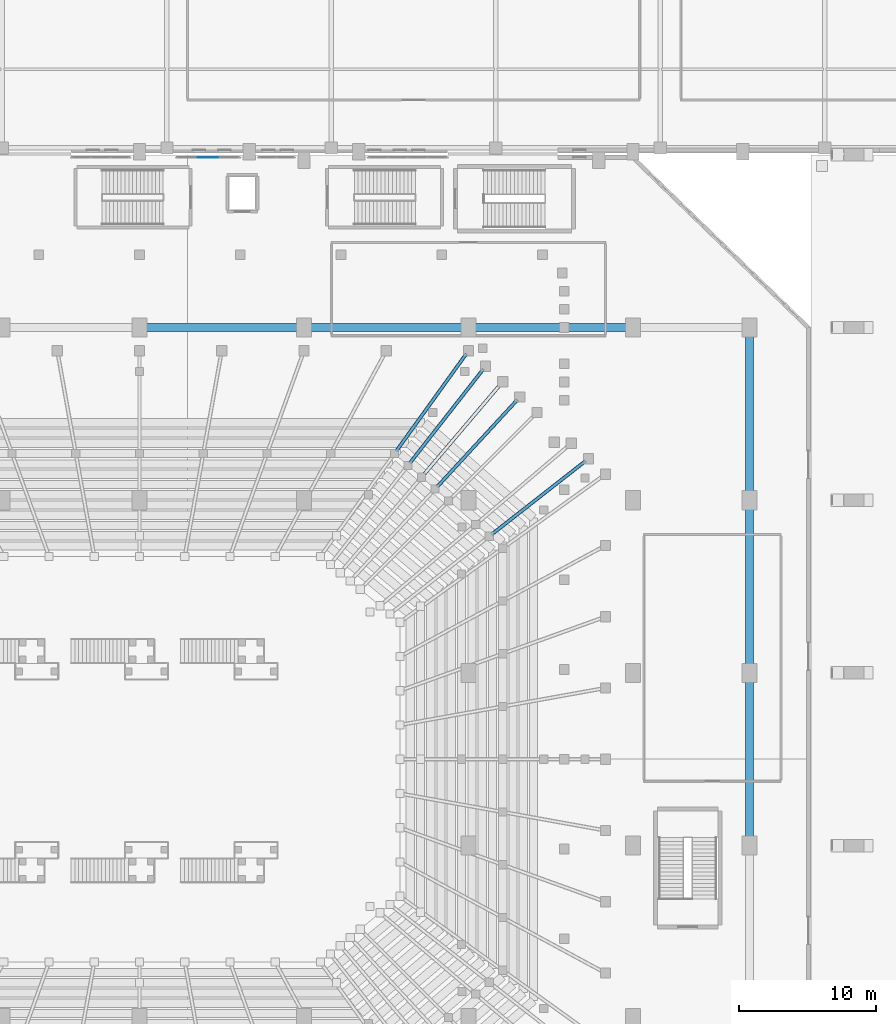
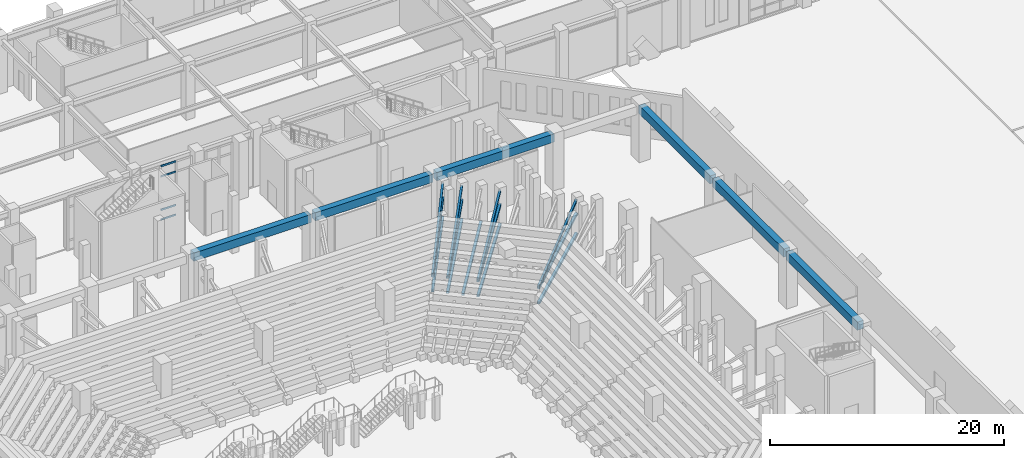
# One storey, part 51 of 143: 17 members, 6 beams, 1 element without a shape of its own.
"""IFC4 building model written with IfcOpenShell, lengths in metres."""

from ifc_helpers import new_model, si_unit, derived_unit, direction, frame, origin, origin_2d, place, context, subcontext, project, spatial, rectangle, hollow_rectangle, extrude, material, layer, layer_set, material_profile, profile_set, type_object, element, aggregate, save


model = new_model("IFC4")

# Units and contexts
model_context = context("Model", 3, precision=1e-05, world=origin(), true_north=direction((0.0, 1.0)))
body_context = subcontext(model_context, "Body", "Model", "MODEL_VIEW")
ifc_project = project(units=[si_unit("LENGTHUNIT", "METRE"), si_unit("AREAUNIT", "SQUARE_METRE"), si_unit("VOLUMEUNIT", "CUBIC_METRE"), si_unit("PLANEANGLEUNIT", "RADIAN"), si_unit("MASSUNIT", "GRAM", prefix="KILO"), derived_unit("THERMALTRANSMITTANCEUNIT", [(si_unit("MASSUNIT", "GRAM", prefix="KILO"), 1), (si_unit("TIMEUNIT", "SECOND"), -3), (si_unit("THERMODYNAMICTEMPERATUREUNIT", "KELVIN"), -1)])], contexts=[model_context])

# Site, building, storey
site_placement = place(None, origin())
site = spatial("IfcSite", under=ifc_project, at=site_placement, CompositionType="ELEMENT")
building_placement = place(site_placement, origin())
building = spatial("IfcBuilding", under=site, at=building_placement, Name="Valcora Ridge Arena", CompositionType="ELEMENT")
storey_placement = place(building_placement, origin())
storey = spatial("IfcBuildingStorey", under=building, at=storey_placement, Name="L00", CompositionType="ELEMENT", Elevation=0.0)

# Beams
ifc_material_1 = material(Name="Concrete C40/50", Category="concrete")
ifc_material_profile_1 = material_profile(ifc_material_1, rectangle(XDim=0.60009765625, YDim=0.85009765625, at=origin_2d()), Name="RC 600x850")
ifc_profile_set_1 = profile_set([ifc_material_profile_1], Name="Concrete C40/50")
beam_type_1 = type_object("IfcBeamType", Name="TY-BEAM-B-RC600-Y", PredefinedType="BEAM", material=ifc_profile_set_1)
for number, where, z_axis, x_axis, name in (
    (1, (102.5, 58.0, 5.215087890625), (0.0, 1.0, 0.0), (-1.0, 0.0, 0.0), "B-RC600-Y BEM-B-RC600-Y-0008"),
    (2, (102.5, 70.60009765625, 5.215087890625), (0.0, 1.0, 0.0), (-1.0, 0.0, 0.0), "B-RC600-Y BEM-B-RC600-Y-0009"),
    (3, (102.5, 83.199951171875, 5.215087890625), (0.0, 1.0, 0.0), (-1.0, 0.0, 0.0), "B-RC600-Y BEM-B-RC600-Y-0010"),
):
    element("IfcBeam", number, at=place(storey_placement, frame(where, z_axis=z_axis, x_axis=x_axis)), inside=storey, type_object=beam_type_1, Name=name, PredefinedType="BEAM", context=body_context, shape_type="SweptSolid", body=[
        extrude(rectangle(XDim=0.60009765625, YDim=0.85009765625, at=origin_2d()), origin(), (0.0, 0.0, 1.0), 12.199951171875),
    ])
ifc_material_profile_2 = material_profile(ifc_material_1, rectangle(XDim=0.60009765625, YDim=0.85009765625, at=origin_2d()), Name="RC 600x850")
ifc_profile_set_2 = profile_set([ifc_material_profile_2], Name="Concrete C40/50")
beam_type_2 = type_object("IfcBeamType", Name="TY-BEAM-EB-RC600", PredefinedType="BEAM", material=ifc_profile_set_2)
for number, where, z_axis, x_axis, name in (
    (4, (58.199951171875, 95.60009765625, 5.215087890625), (1.0, 0.0, 0.0), (0.0, 1.0, 0.0), "EB-RC600 BEM-EB-RC600-0013"),
    (5, (70.199951171875, 95.60009765625, 5.215087890625), (1.0, 0.0, 0.0), (0.0, 1.0, 0.0), "EB-RC600 BEM-EB-RC600-0014"),
    (6, (82.199951171875, 95.60009765625, 5.215087890625), (1.0, 0.0, 0.0), (0.0, 1.0, 0.0), "EB-RC600 BEM-EB-RC600-0015"),
):
    element("IfcBeam", number, at=place(storey_placement, frame(where, z_axis=z_axis, x_axis=x_axis)), inside=storey, type_object=beam_type_2, Name=name, PredefinedType="BEAM", context=body_context, shape_type="SweptSolid", body=[
        extrude(rectangle(XDim=0.60009765625, YDim=0.85009765625, at=origin_2d()), origin(), (0.0, 0.0, 1.0), 11.60009765625),
    ])

# Curtain wall, members
ifc_material_2 = material(Name="Anodised dark bronze architectural aluminium 6063-T6", Category="aluminium")
ifc_layer = layer(ifc_material_2, 0.179931640625, Name="Anodised dark bronze architectural aluminium 6063-T6")
ifc_layer_set = layer_set([ifc_layer], Name="Anodised dark bronze architectural aluminium 6063-T6")
curtain_wall_type = type_object("IfcCurtainWallType", Name="TY-CURTAINWALL-CW-V1-GOTH-046X56", PredefinedType="NOTDEFINED", material=ifc_layer_set)
curtain_wall_placement = place(storey_placement, origin())
curtain_wall = element("IfcCurtainWall", 7, at=curtain_wall_placement, inside=storey, type_object=curtain_wall_type, Name="CW-V1-GOTH-046X56 CW-0089", PredefinedType="NOTDEFINED")
ifc_material_profile_3 = material_profile(ifc_material_2, rectangle(XDim=0.06005859375, YDim=0.179931640625, at=origin_2d()), Name="ALU TRANSOM 60x180")
ifc_profile_set_3 = profile_set([ifc_material_profile_3], Name="Anodised dark bronze architectural aluminium 6063-T6")
member_type_1 = type_object("IfcMemberType", Name="TY-MEM-CWT-60x180", PredefinedType="USERDEFINED", material=ifc_profile_set_3)
member_1_placement = place(storey_placement, frame((62.260009765625, 108.0, 0.030029296875), z_axis=(1.0, 0.0, 0.0), x_axis=(0.0, 1.0, 0.0)))
member_1 = element("IfcMember", 8, at=member_1_placement, type_object=member_type_1, Name="CW-0089/CWT-60x180/T01-00", ObjectType="TRANSOM", PredefinedType="USERDEFINED", context=body_context, shape_type="SweptSolid", body=[
    extrude(rectangle(XDim=0.06005859375, YDim=0.179931640625, at=origin_2d()), origin(), (0.0, 0.0, 1.0), 1.47998046875),
])
member_2_placement = place(storey_placement, frame((62.260009765625, 108.0, 1.050048828125), z_axis=(1.0, 0.0, 0.0), x_axis=(0.0, 1.0, 0.0)))
member_2 = element("IfcMember", 9, at=member_2_placement, type_object=member_type_1, Name="CW-0089/CWT-60x180/T01-01", ObjectType="TRANSOM", PredefinedType="USERDEFINED", context=body_context, shape_type="SweptSolid", body=[
    extrude(rectangle(XDim=0.06005859375, YDim=0.179931640625, at=origin_2d()), origin(), (0.0, 0.0, 1.0), 1.47998046875),
])
member_3_placement = place(storey_placement, frame((62.260009765625, 108.0, 4.5400390625), z_axis=(1.0, 0.0, 0.0), x_axis=(0.0, 1.0, 0.0)))
member_3 = element("IfcMember", 10, at=member_3_placement, type_object=member_type_1, Name="CW-0089/CWT-60x180/T01-02", ObjectType="TRANSOM", PredefinedType="USERDEFINED", context=body_context, shape_type="SweptSolid", body=[
    extrude(rectangle(XDim=0.06005859375, YDim=0.179931640625, at=origin_2d()), origin(), (0.0, 0.0, 1.0), 1.47998046875),
])
member_4_placement = place(storey_placement, frame((62.260009765625, 108.0, 5.610107421875), z_axis=(1.0, 0.0, 0.0), x_axis=(0.0, 1.0, 0.0)))
member_4 = element("IfcMember", 11, at=member_4_placement, type_object=member_type_1, Name="CW-0089/CWT-60x180/T01-03", ObjectType="TRANSOM", PredefinedType="USERDEFINED", context=body_context, shape_type="SweptSolid", body=[
    extrude(rectangle(XDim=0.06005859375, YDim=0.179931640625, at=origin_2d()), origin(), (0.0, 0.0, 1.0), 1.47998046875),
])
aggregate(curtain_wall, [member_1, member_2, member_3, member_4])

# Members
ifc_material_3 = material(Name="Steel ASTM A500 Grade C", Category="steel")
ifc_material_profile_4 = material_profile(ifc_material_3, hollow_rectangle(XDim=0.25, YDim=0.25, WallThickness=0.012451171875, at=origin_2d()), Name="HSS250X250X12")
ifc_profile_set_4 = profile_set([ifc_material_profile_4], Name="Steel ASTM A500 Grade C")
member_type_2 = type_object("IfcMemberType", Name="TY-MEMBER-RKRC-252", PredefinedType="CHORD", material=ifc_profile_set_4)
member_5_placement = place(storey_placement, frame((83.69580078125, 80.506103515625, 2.058349609375), z_axis=(0.764038144447, 0.597748451933, 0.242780769506), x_axis=(-0.616183947868, 0.787602274241, 0.0)))
element("IfcMember", 12, at=member_5_placement, inside=storey, type_object=member_type_2, Name="RKRC-252 MBR-RK-RKRC-252-0025", PredefinedType="CHORD", context=body_context, shape_type="SweptSolid", body=[
    extrude(hollow_rectangle(XDim=0.25, YDim=0.25, WallThickness=0.012451171875, at=origin_2d()), origin(), (0.0, 0.0, 1.0), 8.952880859375),
])
member_6_placement = place(storey_placement, frame((79.72021484375, 83.983642578125, 2.05859375), z_axis=(0.657223207673, 0.712998247682, 0.244317731853), x_axis=(-0.735280759397, 0.677762646404, 0.0)))
element("IfcMember", 13, at=member_6_placement, inside=storey, type_object=member_type_2, Name="RKRC-252 MBR-RK-RKRC-252-0028", PredefinedType="CHORD", context=body_context, shape_type="SweptSolid", body=[
    extrude(hollow_rectangle(XDim=0.25, YDim=0.25, WallThickness=0.012451171875, at=origin_2d()), origin(), (0.0, 0.0, 1.0), 8.89453125),
])
member_7_placement = place(storey_placement, frame((77.73095703125, 85.720947265625, 2.058349609375), z_axis=(0.597760906174, 0.76402679326, 0.242785827904), x_axis=(-0.787591600786, 0.616197590364, 0.0)))
element("IfcMember", 14, at=member_7_placement, inside=storey, type_object=member_type_2, Name="RKRC-252 MBR-RK-RKRC-252-0030", PredefinedType="CHORD", context=body_context, shape_type="SweptSolid", body=[
    extrude(hollow_rectangle(XDim=0.25, YDim=0.25, WallThickness=0.012451171875, at=origin_2d()), origin(), (0.0, 0.0, 1.0), 8.95263671875),
])
member_8_placement = place(storey_placement, frame((76.736083984375, 86.589111328125, 2.05810546875), z_axis=(0.567023988691, 0.787504695115, 0.241495655075), x_axis=(-0.811524271205, 0.584318712044, 0.0)))
element("IfcMember", 15, at=member_8_placement, inside=storey, type_object=member_type_2, Name="RKRC-252 MBR-RK-RKRC-252-0031", PredefinedType="CHORD", context=body_context, shape_type="SweptSolid", body=[
    extrude(hollow_rectangle(XDim=0.25, YDim=0.25, WallThickness=0.012451171875, at=origin_2d()), origin(), (0.0, 0.0, 1.0), 9.003662109375),
])
ifc_material_profile_5 = material_profile(ifc_material_3, hollow_rectangle(XDim=0.25, YDim=0.25, WallThickness=0.012451171875, at=origin_2d()), Name="HSS250X250X12")
ifc_profile_set_5 = profile_set([ifc_material_profile_5], Name="Steel ASTM A500 Grade C")
member_type_3 = type_object("IfcMemberType", Name="TY-MEMBER-RKRC-255", PredefinedType="CHORD", material=ifc_profile_set_5)
member_9_placement = place(storey_placement, frame((83.6982421875, 80.5078125, 0.494873046875), z_axis=(0.773690058732, 0.605311535038, 0.187087248549), x_axis=(-0.616191441722, 0.787596411335, 0.0)))
element("IfcMember", 16, at=member_9_placement, inside=storey, type_object=member_type_3, Name="RKRC-255 MBR-RK-RKRC-255-0025", PredefinedType="CHORD", context=body_context, shape_type="SweptSolid", body=[
    extrude(hollow_rectangle(XDim=0.25, YDim=0.25, WallThickness=0.012451171875, at=origin_2d()), origin(), (0.0, 0.0, 1.0), 8.83447265625),
])
member_10_placement = place(storey_placement, frame((79.722412109375, 83.98583984375, 0.4951171875), z_axis=(0.665649507095, 0.722126498627, 0.188265912167), x_axis=(-0.735274611708, 0.677769315754, 0.0)))
element("IfcMember", 17, at=member_10_placement, inside=storey, type_object=member_type_3, Name="RKRC-255 MBR-RK-RKRC-255-0028", PredefinedType="CHORD", context=body_context, shape_type="SweptSolid", body=[
    extrude(hollow_rectangle(XDim=0.25, YDim=0.25, WallThickness=0.012451171875, at=origin_2d()), origin(), (0.0, 0.0, 1.0), 8.775390625),
])
member_11_placement = place(storey_placement, frame((78.7275390625, 84.854736328125, 0.4951171875), z_axis=(0.635901587114, 0.748568418608, 0.187815053091), x_axis=(-0.762130988109, 0.647422857925, 0.0)))
element("IfcMember", 18, at=member_11_placement, inside=storey, type_object=member_type_3, Name="RKRC-255 MBR-RK-RKRC-255-0029", PredefinedType="CHORD", context=body_context, shape_type="SweptSolid", body=[
    extrude(hollow_rectangle(XDim=0.25, YDim=0.25, WallThickness=0.012451171875, at=origin_2d()), origin(), (0.0, 0.0, 1.0), 8.797607421875),
])
member_12_placement = place(storey_placement, frame((77.73291015625, 85.72314453125, 0.494873046875), z_axis=(0.605311535038, 0.773690058732, 0.187087248549), x_axis=(-0.787596411335, 0.616191441722, 0.0)))
element("IfcMember", 19, at=member_12_placement, inside=storey, type_object=member_type_3, Name="RKRC-255 MBR-RK-RKRC-255-0030", PredefinedType="CHORD", context=body_context, shape_type="SweptSolid", body=[
    extrude(hollow_rectangle(XDim=0.25, YDim=0.25, WallThickness=0.012451171875, at=origin_2d()), origin(), (0.0, 0.0, 1.0), 8.83447265625),
])
member_13_placement = place(storey_placement, frame((76.73779296875, 86.59130859375, 0.49462890625), z_axis=(0.574105087517, 0.797362071684, 0.18605664494), x_axis=(-0.811532219938, 0.58430767238, 0.0)))
element("IfcMember", 20, at=member_13_placement, inside=storey, type_object=member_type_3, Name="RKRC-255 MBR-RK-RKRC-255-0031", PredefinedType="CHORD", context=body_context, shape_type="SweptSolid", body=[
    extrude(hollow_rectangle(XDim=0.25, YDim=0.25, WallThickness=0.012451171875, at=origin_2d()), origin(), (0.0, 0.0, 1.0), 8.88623046875),
])
ifc_material_profile_6 = material_profile(ifc_material_3, hollow_rectangle(XDim=0.199951171875, YDim=0.199951171875, WallThickness=0.012451171875, at=origin_2d()), Name="HSS200X200X12")
ifc_profile_set_6 = profile_set([ifc_material_profile_6], Name="Steel ASTM A500 Grade C")
member_type_4 = type_object("IfcMemberType", Name="TY-MEMBER-RKRD-202", PredefinedType="BRACE", material=ifc_profile_set_6)
member_14_placement = place(storey_placement, frame((83.6884765625, 80.500244140625, 2.237548828125), z_axis=(0.733320930048, 0.573746660792, 0.364767299499), x_axis=(-0.616203901371, 0.787586663126, 0.0)))
element("IfcMember", 21, at=member_14_placement, inside=storey, type_object=member_type_4, Name="RKRD-202 Raker Diagonal Brace", PredefinedType="BRACE", context=body_context, shape_type="SweptSolid", body=[
    extrude(hollow_rectangle(XDim=0.199951171875, YDim=0.199951171875, WallThickness=0.012451171875, at=origin_2d()), origin(), (0.0, 0.0, 1.0), 9.349609375),
])
member_15_placement = place(storey_placement, frame((79.7138671875, 83.976806640625, 2.238037109375), z_axis=(0.630521847904, 0.684008889375, 0.366843343366), x_axis=(-0.735269897911, 0.677774429457, 0.0)))
element("IfcMember", 22, at=member_15_placement, inside=storey, type_object=member_type_4, Name="RKRD-202 Raker Diagonal Brace", PredefinedType="BRACE", context=body_context, shape_type="SweptSolid", body=[
    extrude(hollow_rectangle(XDim=0.199951171875, YDim=0.199951171875, WallThickness=0.012451171875, at=origin_2d()), origin(), (0.0, 0.0, 1.0), 9.293212890625),
])
member_16_placement = place(storey_placement, frame((77.72509765625, 85.71337890625, 2.237548828125), z_axis=(0.573746660792, 0.733320930048, 0.364767299499), x_axis=(-0.787586663126, 0.616203901371, 0.0)))
element("IfcMember", 23, at=member_16_placement, inside=storey, type_object=member_type_4, Name="RKRD-202 Raker Diagonal Brace", PredefinedType="BRACE", context=body_context, shape_type="SweptSolid", body=[
    extrude(hollow_rectangle(XDim=0.199951171875, YDim=0.199951171875, WallThickness=0.012451171875, at=origin_2d()), origin(), (0.0, 0.0, 1.0), 9.349609375),
])
member_17_placement = place(storey_placement, frame((76.730712890625, 86.58154296875, 2.237060546875), z_axis=(0.544461556615, 0.756177844911, 0.362983030229), x_axis=(-0.811527467141, 0.58431427338, 0.0)))
element("IfcMember", 24, at=member_17_placement, inside=storey, type_object=member_type_4, Name="RKRD-202 Raker Diagonal Brace", PredefinedType="BRACE", context=body_context, shape_type="SweptSolid", body=[
    extrude(hollow_rectangle(XDim=0.199951171875, YDim=0.199951171875, WallThickness=0.012451171875, at=origin_2d()), origin(), (0.0, 0.0, 1.0), 9.398193359375),
])

save(model, "model.ifc")
